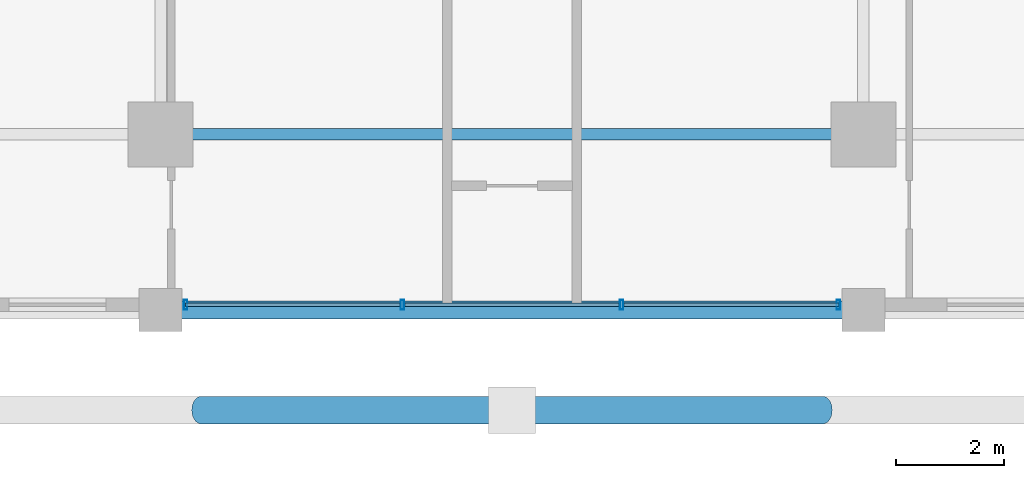
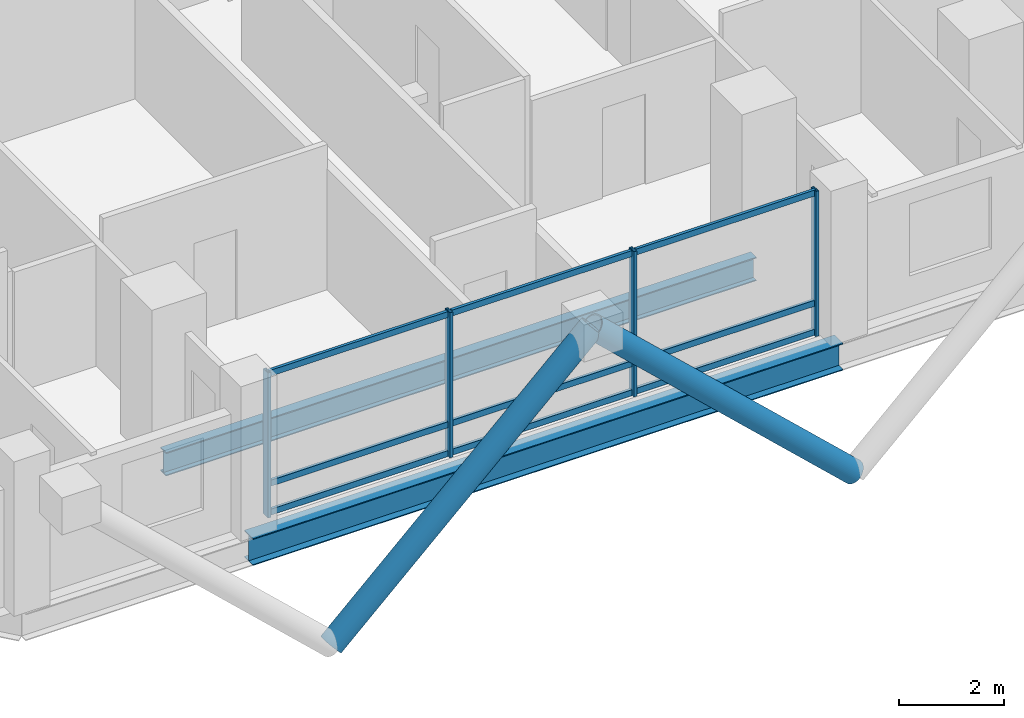
# One storey, part 2 of 23: 15 members, 2 beams, 1 element without a shape of its own.
"""IFC4 building model written with IfcOpenShell, lengths in metres."""

from ifc_helpers import new_model, si_unit, direction, frame, origin, origin_2d, place, context, subcontext, project, spatial, hollow_rectangle, hollow_circle, i_section, extrude, material, layer, layer_set, material_profile, profile_set, type_object, element, aggregate, save


model = new_model("IFC4")

# Units and contexts
model_context = context("Model", 3, precision=1e-05, world=origin(), true_north=direction((0.0, 1.0)))
body_context = subcontext(model_context, "Body", "Model", "MODEL_VIEW")
ifc_project = project(units=[si_unit("LENGTHUNIT", "METRE"), si_unit("AREAUNIT", "SQUARE_METRE"), si_unit("VOLUMEUNIT", "CUBIC_METRE"), si_unit("PLANEANGLEUNIT", "RADIAN"), si_unit("MASSUNIT", "GRAM", prefix="KILO")], contexts=[model_context])

# Site, building, storey
site_placement = place(None, origin())
site = spatial("IfcSite", under=ifc_project, at=site_placement, CompositionType="ELEMENT")
building_placement = place(site_placement, origin())
building = spatial("IfcBuilding", under=site, at=building_placement, Name="Barlavira Tower and Art Museum", CompositionType="ELEMENT")
storey_placement = place(building_placement, frame((0.0, 0.0, 140.39990234375)))
storey = spatial("IfcBuildingStorey", under=building, at=storey_placement, Name="L35", CompositionType="ELEMENT", Elevation=140.39990234375)

# Curtain wall, members
ifc_material_1 = material(Name="Low-iron coastal laminated glass", Category="glass")
ifc_layer = layer(ifc_material_1, 0.18994140625, Name="Low-iron coastal laminated glass")
ifc_layer_set = layer_set([ifc_layer], Name="Low-iron coastal laminated glass")
curtain_wall_type = type_object("IfcCurtainWallType", Name="Pale-Metal Unitised Curtain Wall Zone 2", PredefinedType="NOTDEFINED", material=ifc_layer_set)
curtain_wall_placement = place(storey_placement, origin())
curtain_wall = element("IfcCurtainWall", 1, at=curtain_wall_placement, inside=storey, type_object=curtain_wall_type, Name="L35 Curtain Wall CW2-L35-S-B3", PredefinedType="NOTDEFINED")
ifc_material_2 = material(Name="Pale anodised aluminium", Category="aluminium")
ifc_material_profile_1 = material_profile(ifc_material_2, hollow_rectangle(XDim=0.06494140625, YDim=0.179931640625, WallThickness=0.00390625, at=origin_2d()), Name="ALU-MULL 65x180x4")
ifc_profile_set_1 = profile_set([ifc_material_profile_1], Name="Pale anodised aluminium")
member_type_1 = type_object("IfcMemberType", Name="Curtain Wall Pale-Metal Mullion 65x180", PredefinedType="MULLION", material=ifc_profile_set_1)
member_1_placement = place(storey_placement, frame((-6.034912109375, -23.14990234375, 0.0), z_axis=(0.0, 0.0, 1.0), x_axis=(1.0, 0.0, 0.0)))
member_1 = element("IfcMember", 2, at=member_1_placement, type_object=member_type_1, Name="CW2-L35-S-B3 Mullion 0", PredefinedType="MULLION", context=body_context, shape_type="SweptSolid", body=[
    extrude(hollow_rectangle(XDim=0.06494140625, YDim=0.179931640625, WallThickness=0.00390625, at=origin_2d()), origin(), (0.0, 0.0, 1.0), 3.380126953125),
])
member_2_placement = place(storey_placement, frame((-2.026611328125, -23.14990234375, 0.0), z_axis=(0.0, 0.0, 1.0), x_axis=(1.0, 0.0, 0.0)))
member_2 = element("IfcMember", 3, at=member_2_placement, type_object=member_type_1, Name="CW2-L35-S-B3 Mullion 1", PredefinedType="MULLION", context=body_context, shape_type="SweptSolid", body=[
    extrude(hollow_rectangle(XDim=0.06494140625, YDim=0.179931640625, WallThickness=0.00390625, at=origin_2d()), origin(), (0.0, 0.0, 1.0), 3.380126953125),
])
member_3_placement = place(storey_placement, frame((2.026611328125, -23.14990234375, 0.0), z_axis=(0.0, 0.0, 1.0), x_axis=(1.0, 0.0, 0.0)))
member_3 = element("IfcMember", 4, at=member_3_placement, type_object=member_type_1, Name="CW2-L35-S-B3 Mullion 2", PredefinedType="MULLION", context=body_context, shape_type="SweptSolid", body=[
    extrude(hollow_rectangle(XDim=0.06494140625, YDim=0.179931640625, WallThickness=0.00390625, at=origin_2d()), origin(), (0.0, 0.0, 1.0), 3.380126953125),
])
member_4_placement = place(storey_placement, frame((6.034912109375, -23.14990234375, 0.0), z_axis=(0.0, 0.0, 1.0), x_axis=(1.0, 0.0, 0.0)))
member_4 = element("IfcMember", 5, at=member_4_placement, type_object=member_type_1, Name="CW2-L35-S-B3 Mullion 3", PredefinedType="MULLION", context=body_context, shape_type="SweptSolid", body=[
    extrude(hollow_rectangle(XDim=0.06494140625, YDim=0.179931640625, WallThickness=0.00390625, at=origin_2d()), origin(), (0.0, 0.0, 1.0), 3.380126953125),
])
ifc_material_profile_2 = material_profile(ifc_material_2, hollow_rectangle(XDim=0.06494140625, YDim=0.139892578125, WallThickness=0.00390625, at=origin_2d()), Name="ALU-TRAN 65x140x4")
ifc_profile_set_2 = profile_set([ifc_material_profile_2], Name="Pale anodised aluminium")
member_type_2 = type_object("IfcMemberType", Name="Curtain Wall Pale-Metal Transom 65x140", PredefinedType="USERDEFINED", material=ifc_profile_set_2)
member_5_placement = place(storey_placement, frame((-6.034912109375, -23.14990234375, 0.070068359375), z_axis=(1.0, 0.0, 0.0), x_axis=(0.0, 1.0, 0.0)))
member_5 = element("IfcMember", 6, at=member_5_placement, type_object=member_type_2, Name="CW2-L35-S-B3 Transom 0.1", ObjectType="TRANSOM", PredefinedType="USERDEFINED", context=body_context, shape_type="SweptSolid", body=[
    extrude(hollow_rectangle(XDim=0.06494140625, YDim=0.139892578125, WallThickness=0.00390625, at=origin_2d()), origin(), (0.0, 0.0, 1.0), 3.963134765625),
])
member_6_placement = place(storey_placement, frame((-6.034912109375, -23.14990234375, 0.744140625), z_axis=(1.0, 0.0, 0.0), x_axis=(0.0, 1.0, 0.0)))
member_6 = element("IfcMember", 7, at=member_6_placement, type_object=member_type_2, Name="CW2-L35-S-B3 Transom 0.2", ObjectType="TRANSOM", PredefinedType="USERDEFINED", context=body_context, shape_type="SweptSolid", body=[
    extrude(hollow_rectangle(XDim=0.06494140625, YDim=0.139892578125, WallThickness=0.00390625, at=origin_2d()), origin(), (0.0, 0.0, 1.0), 3.963134765625),
])
member_7_placement = place(storey_placement, frame((-6.034912109375, -23.14990234375, 3.31005859375), z_axis=(1.0, 0.0, 0.0), x_axis=(0.0, 1.0, 0.0)))
member_7 = element("IfcMember", 8, at=member_7_placement, type_object=member_type_2, Name="CW2-L35-S-B3 Transom 0.3", ObjectType="TRANSOM", PredefinedType="USERDEFINED", context=body_context, shape_type="SweptSolid", body=[
    extrude(hollow_rectangle(XDim=0.06494140625, YDim=0.139892578125, WallThickness=0.00390625, at=origin_2d()), origin(), (0.0, 0.0, 1.0), 3.963134765625),
])
member_8_placement = place(storey_placement, frame((-1.981689453125, -23.14990234375, 0.070068359375), z_axis=(1.0, 0.0, 0.0), x_axis=(0.0, 1.0, 0.0)))
member_8 = element("IfcMember", 9, at=member_8_placement, type_object=member_type_2, Name="CW2-L35-S-B3 Transom 1.1", ObjectType="TRANSOM", PredefinedType="USERDEFINED", context=body_context, shape_type="SweptSolid", body=[
    extrude(hollow_rectangle(XDim=0.06494140625, YDim=0.139892578125, WallThickness=0.00390625, at=origin_2d()), origin(), (0.0, 0.0, 1.0), 3.96337890625),
])
member_9_placement = place(storey_placement, frame((-1.981689453125, -23.14990234375, 0.744140625), z_axis=(1.0, 0.0, 0.0), x_axis=(0.0, 1.0, 0.0)))
member_9 = element("IfcMember", 10, at=member_9_placement, type_object=member_type_2, Name="CW2-L35-S-B3 Transom 1.2", ObjectType="TRANSOM", PredefinedType="USERDEFINED", context=body_context, shape_type="SweptSolid", body=[
    extrude(hollow_rectangle(XDim=0.06494140625, YDim=0.139892578125, WallThickness=0.00390625, at=origin_2d()), origin(), (0.0, 0.0, 1.0), 3.96337890625),
])
member_10_placement = place(storey_placement, frame((-1.981689453125, -23.14990234375, 3.31005859375), z_axis=(1.0, 0.0, 0.0), x_axis=(0.0, 1.0, 0.0)))
member_10 = element("IfcMember", 11, at=member_10_placement, type_object=member_type_2, Name="CW2-L35-S-B3 Transom 1.3", ObjectType="TRANSOM", PredefinedType="USERDEFINED", context=body_context, shape_type="SweptSolid", body=[
    extrude(hollow_rectangle(XDim=0.06494140625, YDim=0.139892578125, WallThickness=0.00390625, at=origin_2d()), origin(), (0.0, 0.0, 1.0), 3.96337890625),
])
member_11_placement = place(storey_placement, frame((2.07177734375, -23.14990234375, 0.070068359375), z_axis=(1.0, 0.0, 0.0), x_axis=(0.0, 1.0, 0.0)))
member_11 = element("IfcMember", 12, at=member_11_placement, type_object=member_type_2, Name="CW2-L35-S-B3 Transom 2.1", ObjectType="TRANSOM", PredefinedType="USERDEFINED", context=body_context, shape_type="SweptSolid", body=[
    extrude(hollow_rectangle(XDim=0.06494140625, YDim=0.139892578125, WallThickness=0.00390625, at=origin_2d()), origin(), (0.0, 0.0, 1.0), 3.963134765625),
])
member_12_placement = place(storey_placement, frame((2.07177734375, -23.14990234375, 0.744140625), z_axis=(1.0, 0.0, 0.0), x_axis=(0.0, 1.0, 0.0)))
member_12 = element("IfcMember", 13, at=member_12_placement, type_object=member_type_2, Name="CW2-L35-S-B3 Transom 2.2", ObjectType="TRANSOM", PredefinedType="USERDEFINED", context=body_context, shape_type="SweptSolid", body=[
    extrude(hollow_rectangle(XDim=0.06494140625, YDim=0.139892578125, WallThickness=0.00390625, at=origin_2d()), origin(), (0.0, 0.0, 1.0), 3.963134765625),
])
member_13_placement = place(storey_placement, frame((2.07177734375, -23.14990234375, 3.31005859375), z_axis=(1.0, 0.0, 0.0), x_axis=(0.0, 1.0, 0.0)))
member_13 = element("IfcMember", 14, at=member_13_placement, type_object=member_type_2, Name="CW2-L35-S-B3 Transom 2.3", ObjectType="TRANSOM", PredefinedType="USERDEFINED", context=body_context, shape_type="SweptSolid", body=[
    extrude(hollow_rectangle(XDim=0.06494140625, YDim=0.139892578125, WallThickness=0.00390625, at=origin_2d()), origin(), (0.0, 0.0, 1.0), 3.963134765625),
])
aggregate(curtain_wall, [member_1, member_2, member_3, member_4, member_5, member_6, member_7, member_8, member_9, member_10, member_11, member_12, member_13])

# Members
ifc_material_3 = material(Name="Steel S355", Category="steel")
ifc_material_profile_3 = material_profile(ifc_material_3, hollow_circle(Radius=0.25390625, WallThickness=0.022216796875, at=origin_2d()), Name="CHS 508.0x22.2")
ifc_profile_set_3 = profile_set([ifc_material_profile_3], Name="Steel S355")
member_type_3 = type_object("IfcMemberType", Name="Pale-Metal Exoskeleton Diagrid Tube CHS 508x22 Steel S355", PredefinedType="BRACE", material=ifc_profile_set_3)
for number, where, z_axis, x_axis, name in (
    (15, (-5.75, -25.10009765625, -1.919921875), (0.728950095515, 0.0, 0.684566839869), (0.0, 1.0, 0.0), "L35 Exoskeleton Diagrid Tube S"),
    (16, (5.75, -25.10009765625, -1.919921875), (-0.728950095515, 0.0, 0.684566839869), (0.0, -1.0, 0.0), "L35 Exoskeleton Diagrid Tube S"),
):
    element("IfcMember", number, at=place(storey_placement, frame(where, z_axis=z_axis, x_axis=x_axis)), inside=storey, type_object=member_type_3, Name=name, PredefinedType="BRACE", context=body_context, shape_type="SweptSolid", body=[
        extrude(hollow_circle(Radius=0.25390625, WallThickness=0.022216796875, at=origin_2d()), origin(), (0.0, 0.0, 1.0), 7.887939453125),
    ])

# Beams
ifc_material_profile_4 = material_profile(ifc_material_3, i_section(OverallWidth=0.327880859375, OverallDepth=0.62890625, WebThickness=0.013916015625, FlangeThickness=0.021484375, at=origin_2d()), Name="W610x174.0")
ifc_profile_set_4 = profile_set([ifc_material_profile_4], Name="Steel S355")
beam_type_1 = type_object("IfcBeamType", Name="Perimeter Spandrel Edge Beam W610x174 Steel S355", PredefinedType="SPANDREL", material=ifc_profile_set_4)
beam_1_placement = place(storey_placement, frame((-6.5, -23.25, -0.534423828125), z_axis=(1.0, 0.0, 0.0), x_axis=(0.0, 1.0, 0.0)))
element("IfcBeam", 17, at=beam_1_placement, inside=storey, type_object=beam_type_1, Name="L35 Spandrel 2", PredefinedType="SPANDREL", context=body_context, shape_type="SweptSolid", body=[
    extrude(i_section(OverallWidth=0.327880859375, OverallDepth=0.62890625, WebThickness=0.013916015625, FlangeThickness=0.021484375, at=origin_2d()), origin(), (0.0, 0.0, 1.0), 13.0),
])
ifc_material_profile_5 = material_profile(ifc_material_3, i_section(OverallWidth=0.214111328125, OverallDepth=0.549072265625, WebThickness=0.0146484375, FlangeThickness=0.023681640625, at=origin_2d()), Name="W530x138.0")
ifc_profile_set_5 = profile_set([ifc_material_profile_5], Name="Steel S355")
beam_type_2 = type_object("IfcBeamType", Name="Zone 1 Primary Floor Girder W530x138 Steel S355", PredefinedType="BEAM", material=ifc_profile_set_5)
beam_2_placement = place(storey_placement, frame((-6.5, -20.0, -0.494384765625), z_axis=(1.0, 0.0, 0.0), x_axis=(0.0, 1.0, 0.0)))
element("IfcBeam", 18, at=beam_2_placement, inside=storey, type_object=beam_type_2, Name="L35 Girder M-S2", PredefinedType="BEAM", context=body_context, shape_type="SweptSolid", body=[
    extrude(i_section(OverallWidth=0.214111328125, OverallDepth=0.549072265625, WebThickness=0.0146484375, FlangeThickness=0.023681640625, at=origin_2d()), origin(), (0.0, 0.0, 1.0), 13.0),
])

save(model, "model.ifc")
